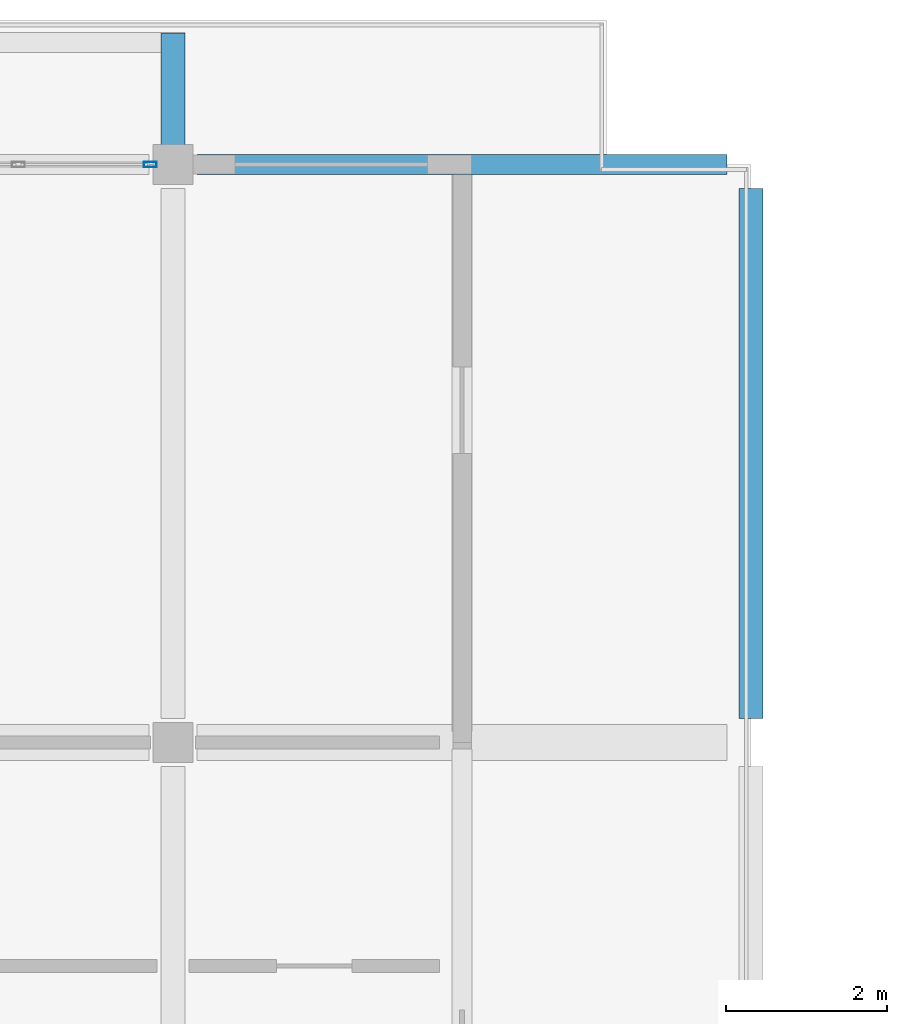
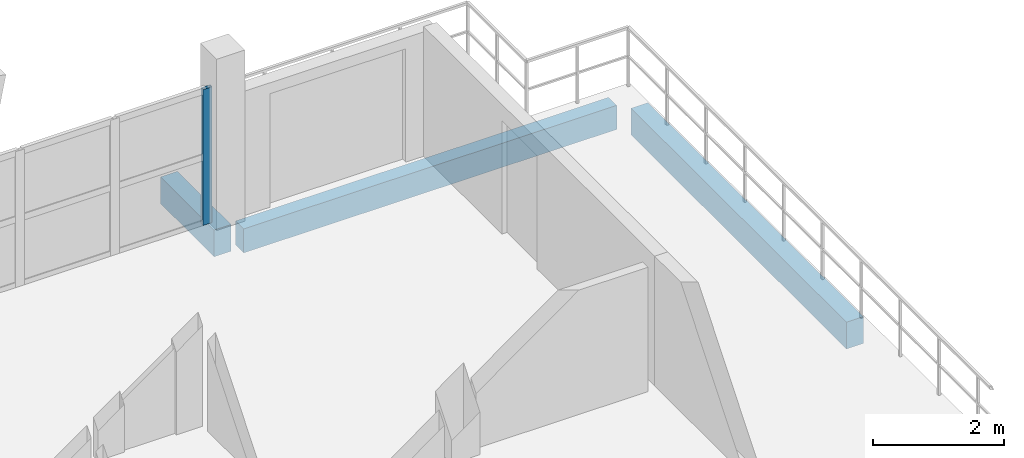
# One storey, part 15 of 45: 3 beams, 1 member, 1 element without a shape of its own.
"""IFC4 building model written with IfcOpenShell, lengths in metres."""

from ifc_helpers import new_model, si_unit, direction, frame, origin, origin_2d, place, context, subcontext, project, spatial, rectangle, hollow_rectangle, extrude, material, material_profile, profile_set, type_object, element, aggregate, save


model = new_model("IFC4")

# Units and contexts
model_context = context("Model", 3, precision=1e-05, world=origin(), true_north=direction((0.0, 1.0)))
body_context = subcontext(model_context, "Body", "Model", "MODEL_VIEW")
ifc_project = project(units=[si_unit("LENGTHUNIT", "METRE"), si_unit("AREAUNIT", "SQUARE_METRE"), si_unit("VOLUMEUNIT", "CUBIC_METRE"), si_unit("PLANEANGLEUNIT", "RADIAN"), si_unit("MASSUNIT", "GRAM", prefix="KILO")], contexts=[model_context])

# Site, building, storey
site_placement = place(None, origin())
site = spatial("IfcSite", under=ifc_project, at=site_placement, CompositionType="ELEMENT")
building_placement = place(site_placement, origin())
building = spatial("IfcBuilding", under=site, at=building_placement, Name="Suanplinth Sawtooth Commons", CompositionType="ELEMENT")
storey_placement = place(building_placement, frame((0.0, 0.0, 38.0)))
storey = spatial("IfcBuildingStorey", under=building, at=storey_placement, Name="L11", CompositionType="ELEMENT", Elevation=38.0)

# Beams
ifc_material_1 = material(Name="Precast concrete C40/50", Category="concrete")
ifc_material_profile_1 = material_profile(ifc_material_1, rectangle(XDim=0.300048828125, YDim=0.5, at=origin_2d()), Name="PC-BM 300x500")
ifc_profile_set_1 = profile_set([ifc_material_profile_1], Name="Precast concrete C40/50")
beam_type_1 = type_object("IfcBeamType", Name="B-07", PredefinedType="BEAM", material=ifc_profile_set_1)
beam_1_placement = place(storey_placement, frame((93.60009765625, 115.5, -0.489990234375), z_axis=(0.0, 1.0, 0.0), x_axis=(-1.0, 0.0, 0.0)))
element("IfcBeam", 1, at=beam_1_placement, inside=storey, type_object=beam_type_1, Name="BMY-L11-A-13-16", PredefinedType="BEAM", context=body_context, shape_type="SweptSolid", body=[
    extrude(rectangle(XDim=0.300048828125, YDim=0.5, at=origin_2d()), origin(), (0.0, 0.0, 1.0), 6.60009765625),
])
beam_2_placement = place(storey_placement, frame((86.39990234375, 122.39990234375, -0.429931640625), z_axis=(0.0, 1.0, 0.0), x_axis=(-1.0, 0.0, 0.0)))
element("IfcBeam", 2, at=beam_2_placement, inside=storey, type_object=beam_type_1, Name="Balcony Outrigger L11-A-N-12", PredefinedType="BEAM", context=body_context, shape_type="SweptSolid", body=[
    extrude(rectangle(XDim=0.300048828125, YDim=0.5, at=origin_2d()), origin(), (0.0, 0.0, 1.0), 1.64013671875),
])
ifc_material_profile_2 = material_profile(ifc_material_1, rectangle(XDim=0.25, YDim=0.449951171875, at=origin_2d()), Name="PC-SP 250x450")
ifc_profile_set_2 = profile_set([ifc_material_profile_2], Name="Precast concrete C40/50")
beam_type_2 = type_object("IfcBeamType", Name="B-09", PredefinedType="SPANDREL", material=ifc_profile_set_2)
beam_3_placement = place(storey_placement, frame((86.699951171875, 122.39990234375, -0.465087890625), z_axis=(1.0, 0.0, 0.0), x_axis=(0.0, 1.0, 0.0)))
element("IfcBeam", 3, at=beam_3_placement, inside=storey, type_object=beam_type_2, Name="BMX-L11-A-12-17", PredefinedType="SPANDREL", context=body_context, shape_type="SweptSolid", body=[
    extrude(rectangle(XDim=0.25, YDim=0.449951171875, at=origin_2d()), origin(), (0.0, 0.0, 1.0), 6.60009765625),
])

# Curtain wall, member
ifc_material_2 = material(Name="Anodized aluminium and low-E glazing", Category="aluminium")
curtain_wall_type = type_object("IfcCurtainWallType", Name="CW-06", PredefinedType="USERDEFINED", material=ifc_material_2)
curtain_wall_placement = place(storey_placement, origin())
curtain_wall = element("IfcCurtainWall", 4, at=curtain_wall_placement, inside=storey, type_object=curtain_wall_type, Name="Curtain Wall CW-L11-A-LOUNGE-8", ObjectType="CURTAIN WALL", PredefinedType="USERDEFINED")
ifc_material_3 = material(Name="Anodized aluminium 6063-T6", Category="aluminium")
ifc_material_profile_3 = material_profile(ifc_material_3, hollow_rectangle(XDim=0.06494140625, YDim=0.159912109375, WallThickness=0.00390625, at=origin_2d()), Name="ALU-MUL 65x160")
ifc_profile_set_3 = profile_set([ifc_material_profile_3], Name="Anodized aluminium 6063-T6")
member_type = type_object("IfcMemberType", Name="M-13", PredefinedType="MULLION", material=ifc_profile_set_3)
member_placement = place(storey_placement, frame((86.117431640625, 122.39990234375, 0.0), z_axis=(0.0, 0.0, 1.0), x_axis=(0.0, 1.0, 0.0)))
member = element("IfcMember", 5, at=member_placement, type_object=member_type, Name="CW-06 mullion 5", PredefinedType="MULLION", context=body_context, shape_type="SweptSolid", body=[
    extrude(hollow_rectangle(XDim=0.06494140625, YDim=0.159912109375, WallThickness=0.00390625, at=origin_2d()), origin(), (0.0, 0.0, 1.0), 2.5400390625),
])
aggregate(curtain_wall, [member])

save(model, "model.ifc")
